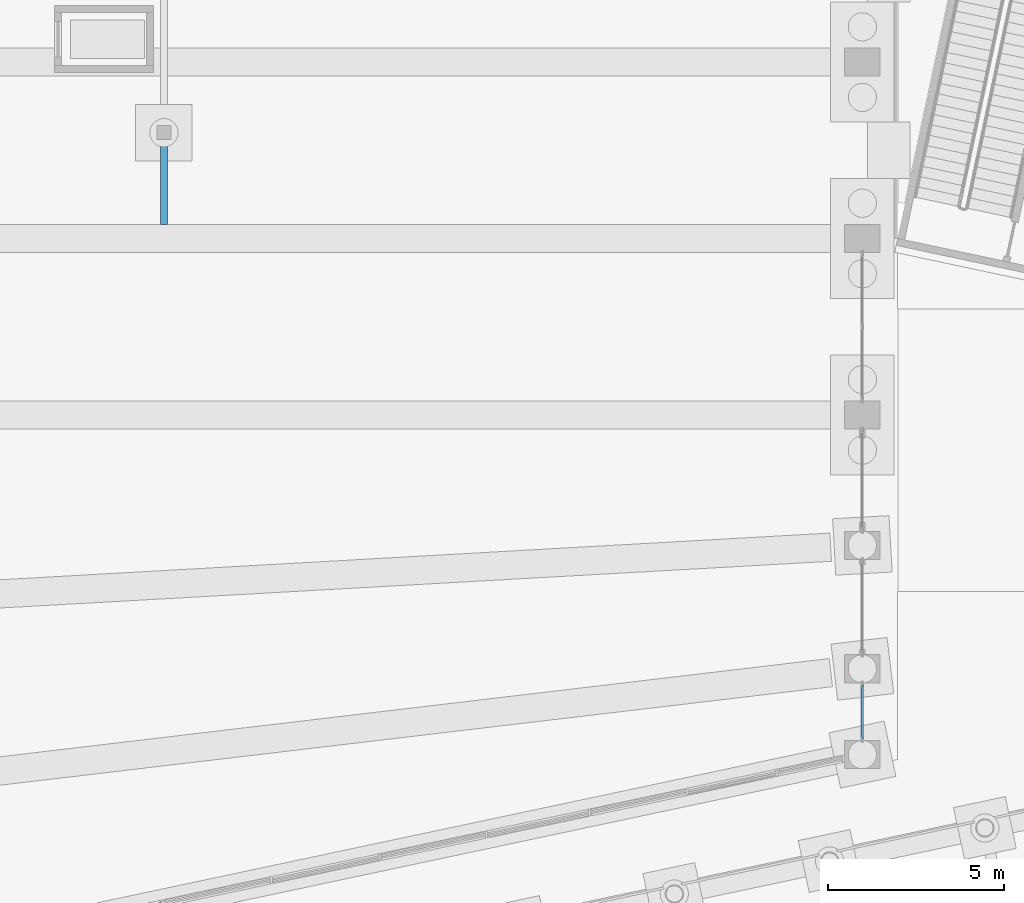
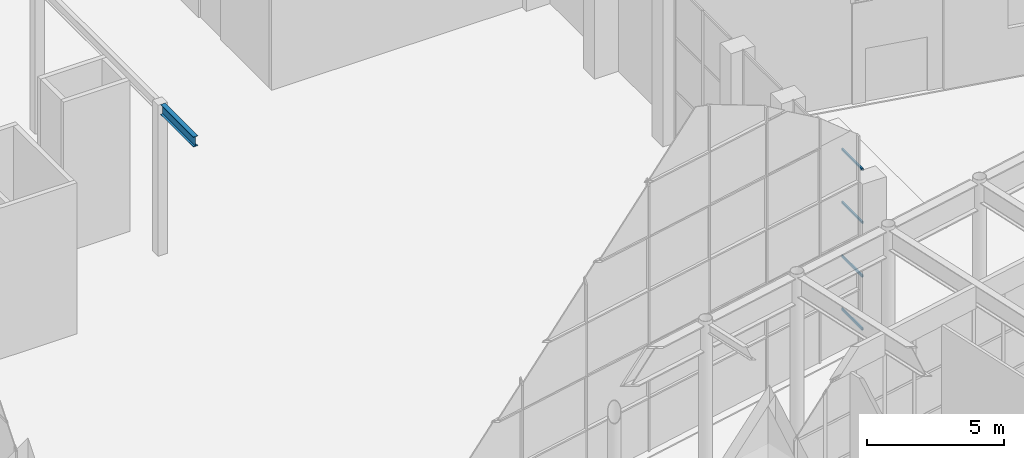
# One storey, part 112 of 239: 4 members, 1 beam, 1 element without a shape of its own.
"""IFC4 building model written with IfcOpenShell, lengths in metres."""

from ifc_helpers import new_model, si_unit, direction, frame, origin, origin_2d, place, context, subcontext, project, spatial, hollow_rectangle, i_section, extrude, material, material_profile, profile_set, type_object, element, aggregate, save


model = new_model("IFC4")

# Units and contexts
model_context = context("Model", 3, precision=1e-05, world=origin(), true_north=direction((0.0, 1.0)))
body_context = subcontext(model_context, "Body", "Model", "MODEL_VIEW")
ifc_project = project(units=[si_unit("LENGTHUNIT", "METRE"), si_unit("AREAUNIT", "SQUARE_METRE"), si_unit("VOLUMEUNIT", "CUBIC_METRE"), si_unit("PLANEANGLEUNIT", "RADIAN"), si_unit("MASSUNIT", "GRAM", prefix="KILO")], contexts=[model_context])

# Site, building, storey
site_placement = place(None, origin())
site = spatial("IfcSite", under=ifc_project, at=site_placement, CompositionType="ELEMENT")
building_placement = place(site_placement, origin())
building = spatial("IfcBuilding", under=site, at=building_placement, Name="Okhra Congress Centre", CompositionType="ELEMENT")
storey_placement = place(building_placement, origin())
storey = spatial("IfcBuildingStorey", under=building, at=storey_placement, Name="L00", CompositionType="ELEMENT", Elevation=0.0)

# Curtain wall, members
ifc_material_1 = material(Name="Aluminium curtain wall, triple glazing", Category="aluminium")
curtain_wall_type = type_object("IfcCurtainWallType", Name="Curtain wall 2100 module", PredefinedType="NOTDEFINED", material=ifc_material_1)
curtain_wall_placement = place(storey_placement, origin())
curtain_wall = element("IfcCurtainWall", 1, at=curtain_wall_placement, inside=storey, type_object=curtain_wall_type, Name="East bay 1 glazing", PredefinedType="NOTDEFINED")
ifc_material_2 = material(Name="Aluminium alloy EN AW-6063 T66", Category="aluminium")
ifc_material_profile_1 = material_profile(ifc_material_2, hollow_rectangle(XDim=0.06005859375, YDim=0.10009765625, WallThickness=0.00390625, at=origin_2d()), Name="RHS 60x100x4")
ifc_profile_set_1 = profile_set([ifc_material_profile_1], Name="Aluminium alloy EN AW-6063 T66")
member_type = type_object("IfcMemberType", Name="Curtain wall transom 60x100", PredefinedType="USERDEFINED", material=ifc_profile_set_1)
member_1_placement = place(storey_placement, frame((189.0, 81.8291015625, 0.030029296875), z_axis=(0.0, 1.0, 0.0), x_axis=(-1.0, 0.0, 0.0)))
member_1 = element("IfcMember", 2, at=member_1_placement, type_object=member_type, Name="CW4 transom 1.1", ObjectType="TRANSOM", PredefinedType="USERDEFINED", context=body_context, shape_type="SweptSolid", body=[
    extrude(hollow_rectangle(XDim=0.06005859375, YDim=0.10009765625, WallThickness=0.00390625, at=origin_2d()), origin(), (0.0, 0.0, 1.0), 1.510986328125),
])
member_2_placement = place(storey_placement, frame((189.0, 81.8291015625, 2.39990234375), z_axis=(0.0, 1.0, 0.0), x_axis=(-1.0, 0.0, 0.0)))
member_2 = element("IfcMember", 3, at=member_2_placement, type_object=member_type, Name="CW4 transom 1.2", ObjectType="TRANSOM", PredefinedType="USERDEFINED", context=body_context, shape_type="SweptSolid", body=[
    extrude(hollow_rectangle(XDim=0.06005859375, YDim=0.10009765625, WallThickness=0.00390625, at=origin_2d()), origin(), (0.0, 0.0, 1.0), 1.510986328125),
])
member_3_placement = place(storey_placement, frame((189.0, 81.8291015625, 4.800048828125), z_axis=(0.0, 1.0, 0.0), x_axis=(-1.0, 0.0, 0.0)))
member_3 = element("IfcMember", 4, at=member_3_placement, type_object=member_type, Name="CW4 transom 1.3", ObjectType="TRANSOM", PredefinedType="USERDEFINED", context=body_context, shape_type="SweptSolid", body=[
    extrude(hollow_rectangle(XDim=0.06005859375, YDim=0.10009765625, WallThickness=0.00390625, at=origin_2d()), origin(), (0.0, 0.0, 1.0), 1.510986328125),
])
member_4_placement = place(storey_placement, frame((189.0, 81.8291015625, 7.169921875), z_axis=(0.0, 1.0, 0.0), x_axis=(-1.0, 0.0, 0.0)))
member_4 = element("IfcMember", 5, at=member_4_placement, type_object=member_type, Name="CW4 transom 1.4", ObjectType="TRANSOM", PredefinedType="USERDEFINED", context=body_context, shape_type="SweptSolid", body=[
    extrude(hollow_rectangle(XDim=0.06005859375, YDim=0.10009765625, WallThickness=0.00390625, at=origin_2d()), origin(), (0.0, 0.0, 1.0), 1.510986328125),
])
aggregate(curtain_wall, [member_1, member_2, member_3, member_4])

# Beam
ifc_material_3 = material(Name="Steel S355J2", Category="steel")
ifc_material_profile_2 = material_profile(ifc_material_3, i_section(OverallWidth=0.18994140625, OverallDepth=0.449951171875, WebThickness=0.009521484375, FlangeThickness=0.0146484375, at=origin_2d()), Name="IPE 450")
ifc_profile_set_2 = profile_set([ifc_material_profile_2], Name="Steel S355J2")
beam_type = type_object("IfcBeamType", Name="Steel gallery edge beam IPE 450", PredefinedType="BEAM", material=ifc_profile_set_2)
beam_placement = place(storey_placement, frame((169.199951171875, 96.39990234375, 6.52490234375), z_axis=(0.0, 1.0, 0.0), x_axis=(-1.0, 0.0, 0.0)))
element("IfcBeam", 6, at=beam_placement, inside=storey, type_object=beam_type, Name="Gallery edge beam 1", PredefinedType="BEAM", context=body_context, shape_type="SweptSolid", body=[
    extrude(i_section(OverallWidth=0.18994140625, OverallDepth=0.449951171875, WebThickness=0.009521484375, FlangeThickness=0.0146484375, at=origin_2d()), origin(), (0.0, 0.0, 1.0), 2.400146484375),
])

save(model, "model.ifc")
